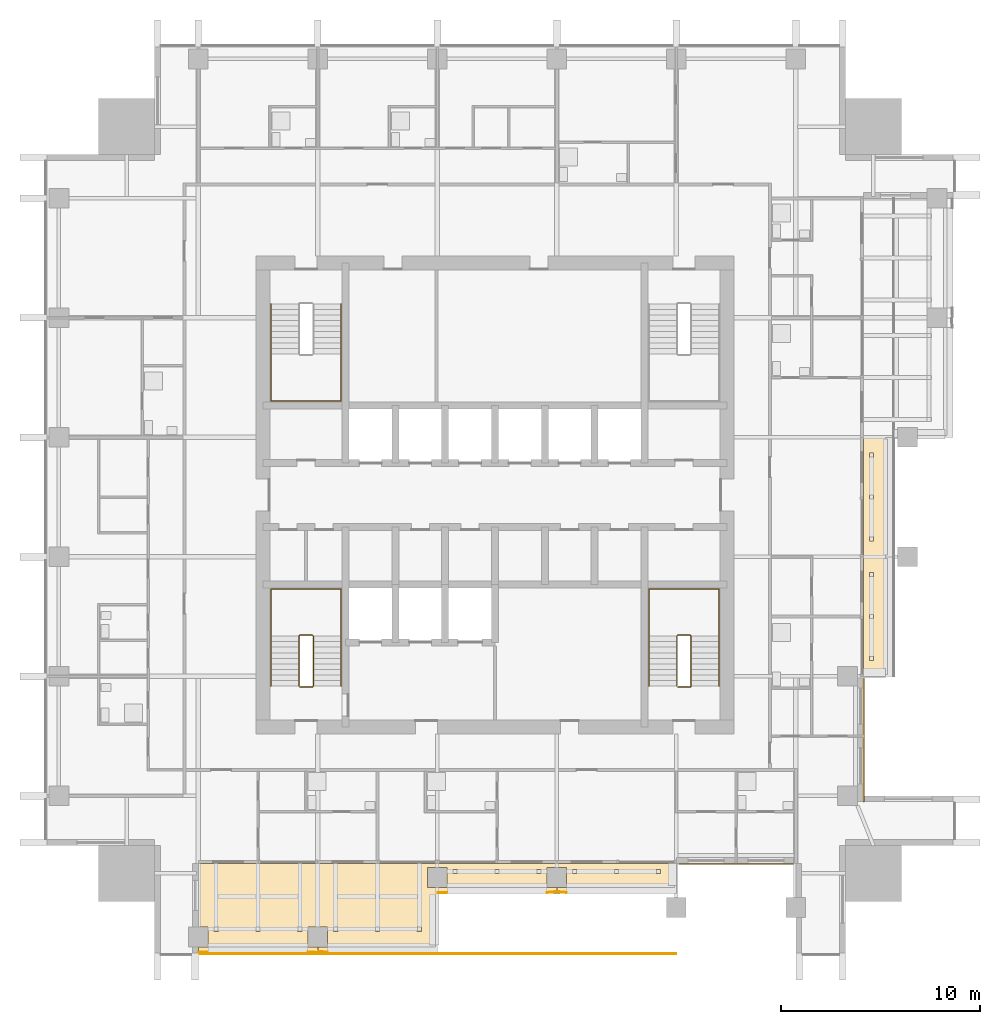
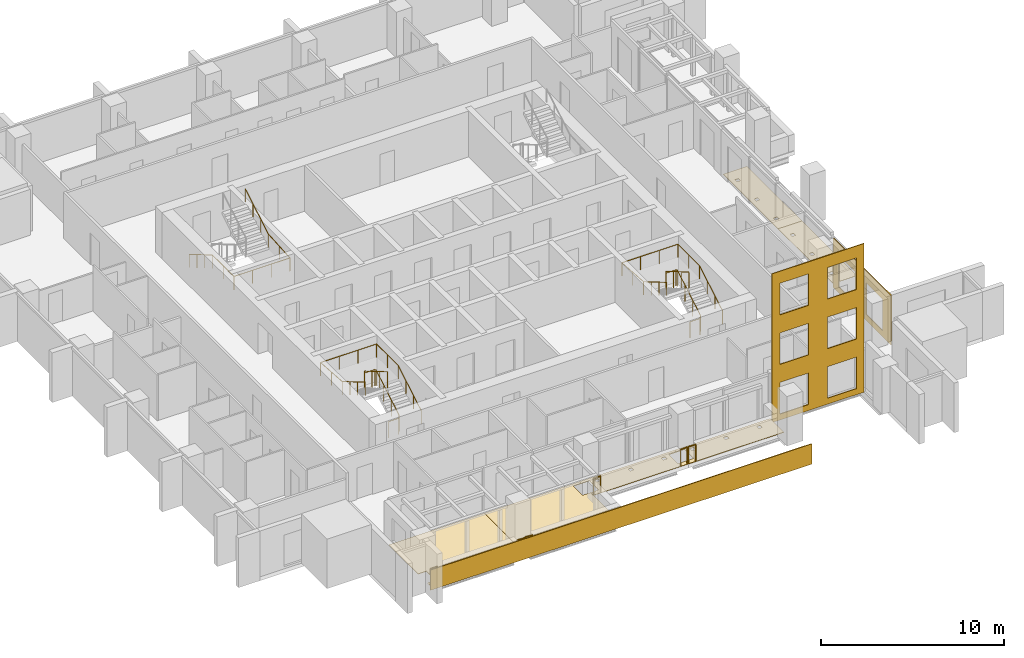
# One storey, part 14 of 16: 11 railings, 9 coverings.
"""IFC4 building model written with IfcOpenShell, lengths in metres."""

from ifc_helpers import new_model, si_unit, direction, frame, origin, origin_2d, place, context, subcontext, project, spatial, polyline, circle, outline, extrude, material, layer, layer_set, type_object, element, save


model = new_model("IFC4")

# Units and contexts
model_context = context("Model", 3, precision=1e-05, world=origin(), true_north=direction((0.0, 1.0)))
body_context = subcontext(model_context, "Body", "Model", "MODEL_VIEW")
ifc_project = project(units=[si_unit("LENGTHUNIT", "METRE"), si_unit("AREAUNIT", "SQUARE_METRE"), si_unit("VOLUMEUNIT", "CUBIC_METRE"), si_unit("PLANEANGLEUNIT", "RADIAN"), si_unit("MASSUNIT", "GRAM", prefix="KILO")], contexts=[model_context])

# Site, building, storey
site_placement = place(None, origin())
site = spatial("IfcSite", under=ifc_project, at=site_placement, CompositionType="ELEMENT")
building_placement = place(site_placement, origin())
building = spatial("IfcBuilding", under=site, at=building_placement, Name="Amberfall Residences", CompositionType="ELEMENT")
storey_placement = place(building_placement, frame((0.0, 0.0, 164.800048828125)))
storey = spatial("IfcBuildingStorey", under=building, at=storey_placement, Name="L44", CompositionType="ELEMENT", Elevation=164.800048828125)

# Coverings
ifc_material_1 = material(Name="Pale limestone cladding", Category="masonry")
ifc_layer_1 = layer(ifc_material_1, 0.050048828125)
ifc_layer_set_1 = layer_set([ifc_layer_1], Name="Limestone fascia 50")
covering_type_1 = type_object("IfcCoveringType", Name="Limestone fascia 50", PredefinedType="CLADDING", material=ifc_layer_set_1)
covering_1_placement = place(storey_placement, frame((0.0, 0.0, -0.25)))
element("IfcCovering", 1, at=covering_1_placement, inside=storey, type_object=covering_type_1, Name="Limestone terrace fascia L44 S1", PredefinedType="CLADDING", context=body_context, shape_type="SweptSolid", body=[
    extrude(outline(polyline([(59.60009765625, 22.5), (83.60009765625, 22.5), (83.60009765625, 22.449951171875), (59.60009765625, 22.449951171875), (59.60009765625, 22.5)])), origin(), (0.0, 0.0, 1.0), 1.349853515625),
])
covering_2_placement = place(storey_placement, frame((83.699951171875, 27.0, 9.64990234375), z_axis=(0.0, 1.0, 0.0), x_axis=(1.0, 0.0, 0.0)))
element("IfcCovering", 2, at=covering_2_placement, inside=storey, type_object=covering_type_1, Name="Pale limestone cladding L44-L46 S", PredefinedType="CLADDING", context=body_context, shape_type="SweptSolid", body=[
    extrude(outline(polyline([(0.0, 0.0), (5.7900390625, 0.0), (5.7900390625, 9.89990234375), (0.0, 9.89990234375), (0.0, 0.0)]), holes=[polyline([(0.5, 7.39990234375), (2.300048828125, 7.39990234375), (2.300048828125, 9.5), (0.5, 9.5), (0.5, 7.39990234375)]), polyline([(3.5, 7.39990234375), (5.300048828125, 7.39990234375), (5.300048828125, 9.5), (3.5, 9.5), (3.5, 7.39990234375)]), polyline([(0.5, 4.099853515625), (2.300048828125, 4.099853515625), (2.300048828125, 6.199951171875), (0.5, 6.199951171875), (0.5, 4.099853515625)]), polyline([(3.5, 4.099853515625), (5.300048828125, 4.099853515625), (5.300048828125, 6.199951171875), (3.5, 6.199951171875), (3.5, 4.099853515625)]), polyline([(0.5, 0.800048828125), (2.300048828125, 0.800048828125), (2.300048828125, 2.89990234375), (0.5, 2.89990234375), (0.5, 0.800048828125)]), polyline([(3.5, 0.800048828125), (5.300048828125, 0.800048828125), (5.300048828125, 2.89990234375), (3.5, 2.89990234375), (3.5, 0.800048828125)])]), origin(), (0.0, 0.0, -1.0), 0.050048828125),
])
covering_3_placement = place(storey_placement, frame((93.0, 30.10009765625, 3.050048828125), z_axis=(-1.0, 0.0, 0.0), x_axis=(0.0, 1.0, 0.0)))
element("IfcCovering", 3, at=covering_3_placement, inside=storey, type_object=covering_type_1, Name="Pale limestone cladding L44 E", PredefinedType="CLADDING", context=body_context, shape_type="SweptSolid", body=[
    extrude(outline(polyline([(0.0, 0.0), (6.2998046875, 0.0), (6.2998046875, 3.300048828125), (0.0, 3.300048828125), (0.0, 0.0)]), holes=[polyline([(0.89990234375, 0.800048828125), (2.699951171875, 0.800048828125), (2.699951171875, 2.900146484375), (0.89990234375, 2.900146484375), (0.89990234375, 0.800048828125)]), polyline([(3.89990234375, 0.800048828125), (5.699951171875, 0.800048828125), (5.699951171875, 2.900146484375), (3.89990234375, 2.900146484375), (3.89990234375, 0.800048828125)])]), origin(), (0.0, 0.0, -1.0), 0.050048828125),
])
ifc_material_2 = material(Name="Pale stone paving", Category="masonry")
ifc_layer_2 = layer(ifc_material_2, 0.030029296875)
ifc_layer_set_2 = layer_set([ifc_layer_2], Name="Pale stone paving 30")
covering_type_2 = type_object("IfcCoveringType", Name="Pale stone paving 30", PredefinedType="FLOORING", material=ifc_layer_set_2)
covering_4_placement = place(storey_placement, origin())
element("IfcCovering", 4, at=covering_4_placement, inside=storey, type_object=covering_type_2, Name="Pale stone paving L44 S1", PredefinedType="FLOORING", context=body_context, shape_type="SweptSolid", body=[
    extrude(outline(polyline([(65.60009765625, 22.5), (65.60009765625, 22.800048828125), (65.10009765625, 22.800048828125), (65.10009765625, 23.800048828125), (65.60009765625, 23.800048828125), (65.60009765625, 27.0), (59.60009765625, 27.0), (59.60009765625, 23.800048828125), (60.10009765625, 23.800048828125), (60.10009765625, 22.800048828125), (59.60009765625, 22.800048828125), (59.60009765625, 22.5), (65.60009765625, 22.5)]), holes=[polyline([(60.389892578125, 23.590087890625), (60.610107421875, 23.590087890625), (60.610107421875, 23.81005859375), (60.389892578125, 23.81005859375), (60.389892578125, 23.590087890625)]), polyline([(62.489990234375, 23.590087890625), (62.7099609375, 23.590087890625), (62.7099609375, 23.81005859375), (62.489990234375, 23.81005859375), (62.489990234375, 23.590087890625)]), polyline([(64.590087890625, 23.590087890625), (64.81005859375, 23.590087890625), (64.81005859375, 23.81005859375), (64.590087890625, 23.81005859375), (64.590087890625, 23.590087890625)])]), origin(), (0.0, 0.0, 1.0), 0.030029296875),
])
covering_5_placement = place(storey_placement, origin())
element("IfcCovering", 5, at=covering_5_placement, inside=storey, type_object=covering_type_2, Name="Pale stone paving L44 S2", PredefinedType="FLOORING", context=body_context, shape_type="SweptSolid", body=[
    extrude(outline(polyline([(71.60009765625, 22.5), (71.60009765625, 25.800048828125), (71.10009765625, 25.800048828125), (71.10009765625, 26.800048828125), (71.60009765625, 26.800048828125), (71.60009765625, 27.0), (65.60009765625, 27.0), (65.60009765625, 23.800048828125), (66.10009765625, 23.800048828125), (66.10009765625, 22.800048828125), (65.60009765625, 22.800048828125), (65.60009765625, 22.5), (71.60009765625, 22.5)]), holes=[polyline([(66.389892578125, 23.590087890625), (66.610107421875, 23.590087890625), (66.610107421875, 23.81005859375), (66.389892578125, 23.81005859375), (66.389892578125, 23.590087890625)]), polyline([(68.489990234375, 23.590087890625), (68.7099609375, 23.590087890625), (68.7099609375, 23.81005859375), (68.489990234375, 23.81005859375), (68.489990234375, 23.590087890625)]), polyline([(70.590087890625, 23.590087890625), (70.81005859375, 23.590087890625), (70.81005859375, 23.81005859375), (70.590087890625, 23.81005859375), (70.590087890625, 23.590087890625)])]), origin(), (0.0, 0.0, 1.0), 0.030029296875),
])
covering_6_placement = place(storey_placement, origin())
element("IfcCovering", 6, at=covering_6_placement, inside=storey, type_object=covering_type_2, Name="Pale stone paving L44 S3", PredefinedType="FLOORING", context=body_context, shape_type="SweptSolid", body=[
    extrude(outline(polyline([(77.60009765625, 27.0), (71.60009765625, 27.0), (71.60009765625, 26.800048828125), (72.10009765625, 26.800048828125), (72.10009765625, 25.800048828125), (71.60009765625, 25.800048828125), (71.60009765625, 25.5), (77.60009765625, 25.5), (77.60009765625, 25.800048828125), (77.10009765625, 25.800048828125), (77.10009765625, 26.800048828125), (77.60009765625, 26.800048828125), (77.60009765625, 27.0)]), holes=[polyline([(72.389892578125, 26.489990234375), (72.610107421875, 26.489990234375), (72.610107421875, 26.7099609375), (72.389892578125, 26.7099609375), (72.389892578125, 26.489990234375)]), polyline([(74.489990234375, 26.489990234375), (74.7099609375, 26.489990234375), (74.7099609375, 26.7099609375), (74.489990234375, 26.7099609375), (74.489990234375, 26.489990234375)]), polyline([(76.590087890625, 26.489990234375), (76.81005859375, 26.489990234375), (76.81005859375, 26.7099609375), (76.590087890625, 26.7099609375), (76.590087890625, 26.489990234375)])]), origin(), (0.0, 0.0, 1.0), 0.030029296875),
])
covering_7_placement = place(storey_placement, origin())
element("IfcCovering", 7, at=covering_7_placement, inside=storey, type_object=covering_type_2, Name="Pale stone paving L44 S4", PredefinedType="FLOORING", context=body_context, shape_type="SweptSolid", body=[
    extrude(outline(polyline([(83.60009765625, 27.0), (77.60009765625, 27.0), (77.60009765625, 26.800048828125), (78.10009765625, 26.800048828125), (78.10009765625, 25.800048828125), (77.60009765625, 25.800048828125), (77.60009765625, 25.5), (83.60009765625, 25.5), (83.60009765625, 27.0)]), holes=[polyline([(78.389892578125, 26.489990234375), (78.610107421875, 26.489990234375), (78.610107421875, 26.7099609375), (78.389892578125, 26.7099609375), (78.389892578125, 26.489990234375)]), polyline([(80.489990234375, 26.489990234375), (80.7099609375, 26.489990234375), (80.7099609375, 26.7099609375), (80.489990234375, 26.7099609375), (80.489990234375, 26.489990234375)]), polyline([(82.590087890625, 26.489990234375), (82.81005859375, 26.489990234375), (82.81005859375, 26.7099609375), (82.590087890625, 26.7099609375), (82.590087890625, 26.489990234375)])]), origin(), (0.0, 0.0, 1.0), 0.030029296875),
])
covering_8_placement = place(storey_placement, origin())
element("IfcCovering", 8, at=covering_8_placement, inside=storey, type_object=covering_type_2, Name="Pale stone paving L44 E2", PredefinedType="FLOORING", context=body_context, shape_type="SweptSolid", body=[
    extrude(outline(polyline([(93.0, 42.39990234375), (93.0, 36.39990234375), (94.5, 36.39990234375), (94.5, 42.39990234375), (93.0, 42.39990234375)]), holes=[polyline([(93.2900390625, 37.18994140625), (93.510009765625, 37.18994140625), (93.510009765625, 37.409912109375), (93.2900390625, 37.409912109375), (93.2900390625, 37.18994140625)]), polyline([(93.2900390625, 39.2900390625), (93.510009765625, 39.2900390625), (93.510009765625, 39.510009765625), (93.2900390625, 39.510009765625), (93.2900390625, 39.2900390625)]), polyline([(93.2900390625, 41.389892578125), (93.510009765625, 41.389892578125), (93.510009765625, 41.610107421875), (93.2900390625, 41.610107421875), (93.2900390625, 41.389892578125)])]), origin(), (0.0, 0.0, 1.0), 0.030029296875),
])
covering_9_placement = place(storey_placement, origin())
element("IfcCovering", 9, at=covering_9_placement, inside=storey, type_object=covering_type_2, Name="Pale stone paving L44 E3", PredefinedType="FLOORING", context=body_context, shape_type="SweptSolid", body=[
    extrude(outline(polyline([(93.0, 48.39990234375), (93.0, 42.39990234375), (94.5, 42.39990234375), (94.5, 48.39990234375), (93.0, 48.39990234375)]), holes=[polyline([(93.2900390625, 43.18994140625), (93.510009765625, 43.18994140625), (93.510009765625, 43.409912109375), (93.2900390625, 43.409912109375), (93.2900390625, 43.18994140625)]), polyline([(93.2900390625, 45.2900390625), (93.510009765625, 45.2900390625), (93.510009765625, 45.510009765625), (93.2900390625, 45.510009765625), (93.2900390625, 45.2900390625)]), polyline([(93.2900390625, 47.389892578125), (93.510009765625, 47.389892578125), (93.510009765625, 47.610107421875), (93.2900390625, 47.610107421875), (93.2900390625, 47.389892578125)])]), origin(), (0.0, 0.0, 1.0), 0.030029296875),
])

# Railings
ifc_material_3 = material(Name="Stainless steel 316", Category="steel")
railing_type_1 = type_object("IfcRailingType", Name="Stair guard 1100", PredefinedType="GUARDRAIL", material=ifc_material_3)
railing_1_placement = place(storey_placement, frame((64.699951171875, 35.85009765625, 0.0)))
element("IfcRailing", 10, at=railing_1_placement, inside=storey, type_object=railing_type_1, Name="L44 stair 1 guard", PredefinedType="GUARDRAIL", context=body_context, shape_type="SweptSolid", body=[
    extrude(circle(Radius=0.02392578125, at=origin_2d()), frame((0.0, 0.0, 1.076171875), z_axis=(1.0, 0.0, 0.0), x_axis=(0.0, 1.0, 0.0)), (0.0, 0.0, 1.0), 0.625),
    extrude(circle(Radius=0.02392578125, at=origin_2d()), frame((0.625, 0.0, 1.076171875), z_axis=(0.278810427259, 0.277450376394, 0.919394384522), x_axis=(-0.705375805398, 0.708833529934, 0.0)), (0.0, 0.0, 1.0), 0.179443359375),
    extrude(circle(Radius=0.02392578125, at=origin_2d()), frame((0.675048828125, 0.0498046875, 1.2412109375), z_axis=(0.0, 0.861560626758, 0.507654692109), x_axis=(-1.0, 0.0, 0.0)), (0.0, 0.0, 1.0), 2.925048828125),
    extrude(circle(Radius=0.02392578125, at=origin_2d()), frame((0.675048828125, 2.56982421875, 2.72607421875), z_axis=(-0.707106781187, 0.707106781187, 0.0), x_axis=(-0.707106781187, -0.707106781187, 0.0)), (0.0, 0.0, 1.0), 0.07080078125),
    extrude(circle(Radius=0.02392578125, at=origin_2d()), frame((0.625, 2.619873046875, 2.72607421875), z_axis=(-1.0, 0.0, 0.0), x_axis=(0.0, -1.0, 0.0)), (0.0, 0.0, 1.0), 0.625),
    extrude(circle(Radius=0.02392578125, at=origin_2d()), frame((0.0, 2.619873046875, 2.72607421875), z_axis=(-0.278705021027, -0.278705021027, 0.919046801044), x_axis=(0.707106781187, -0.707106781187, 0.0)), (0.0, 0.0, 1.0), 0.1796875),
    extrude(circle(Radius=0.02392578125, at=origin_2d()), frame((-0.050048828125, 2.56982421875, 2.89111328125), z_axis=(0.0, -0.86152411907, 0.507716645641), x_axis=(1.0, 0.0, 0.0)), (0.0, 0.0, 1.0), 2.925048828125),
    extrude(circle(Radius=0.02099609375, at=origin_2d()), origin(), (0.0, 0.0, 1.0), 1.052001953125),
    extrude(circle(Radius=0.02099609375, at=origin_2d()), frame((0.625, 0.0, 0.0)), (0.0, 0.0, 1.0), 1.052001953125),
    extrude(circle(Radius=0.02099609375, at=origin_2d()), frame((0.675048828125, 0.0498046875, 0.1650390625)), (0.0, 0.0, 1.0), 1.052001953125),
    extrude(circle(Radius=0.02099609375, at=origin_2d()), frame((0.675048828125, 0.889892578125, 0.659912109375)), (0.0, 0.0, 1.0), 1.052001953125),
    extrude(circle(Radius=0.02099609375, at=origin_2d()), frame((0.675048828125, 1.729736328125, 1.155029296875)), (0.0, 0.0, 1.0), 1.052001953125),
    extrude(circle(Radius=0.02099609375, at=origin_2d()), frame((0.675048828125, 2.56982421875, 1.64990234375)), (0.0, 0.0, 1.0), 1.052001953125),
    extrude(circle(Radius=0.02099609375, at=origin_2d()), frame((0.625, 2.619873046875, 1.64990234375)), (0.0, 0.0, 1.0), 1.052001953125),
    extrude(circle(Radius=0.02099609375, at=origin_2d()), frame((0.0, 2.619873046875, 1.64990234375)), (0.0, 0.0, 1.0), 1.052001953125),
    extrude(circle(Radius=0.02099609375, at=origin_2d()), frame((-0.050048828125, 2.56982421875, 1.81494140625)), (0.0, 0.0, 1.0), 1.052001953125),
    extrude(circle(Radius=0.02099609375, at=origin_2d()), frame((-0.050048828125, 1.729736328125, 2.31005859375)), (0.0, 0.0, 1.0), 1.052001953125),
    extrude(circle(Radius=0.02099609375, at=origin_2d()), frame((-0.050048828125, 0.889892578125, 2.804931640625)), (0.0, 0.0, 1.0), 1.052001953125),
    extrude(circle(Radius=0.02099609375, at=origin_2d()), frame((-0.050048828125, 0.0498046875, 3.300048828125)), (0.0, 0.0, 1.0), 1.052001953125),
])
railing_2_placement = place(storey_placement, frame((83.675048828125, 35.85009765625, 0.0)))
element("IfcRailing", 11, at=railing_2_placement, inside=storey, type_object=railing_type_1, Name="L44 stair 2 guard", PredefinedType="GUARDRAIL", context=body_context, shape_type="SweptSolid", body=[
    extrude(circle(Radius=0.02392578125, at=origin_2d()), frame((0.0, 0.0, 1.076171875), z_axis=(1.0, 0.0, 0.0), x_axis=(0.0, 1.0, 0.0)), (0.0, 0.0, 1.0), 0.625),
    extrude(circle(Radius=0.02392578125, at=origin_2d()), frame((0.625, 0.0, 1.076171875), z_axis=(0.278810427259, 0.277450376394, 0.919394384522), x_axis=(-0.705375805398, 0.708833529934, 0.0)), (0.0, 0.0, 1.0), 0.179443359375),
    extrude(circle(Radius=0.02392578125, at=origin_2d()), frame((0.675048828125, 0.0498046875, 1.2412109375), z_axis=(0.0, 0.861560626758, 0.507654692109), x_axis=(-1.0, 0.0, 0.0)), (0.0, 0.0, 1.0), 2.925048828125),
    extrude(circle(Radius=0.02392578125, at=origin_2d()), frame((0.675048828125, 2.56982421875, 2.72607421875), z_axis=(-0.707106781187, 0.707106781187, 0.0), x_axis=(-0.707106781187, -0.707106781187, 0.0)), (0.0, 0.0, 1.0), 0.07080078125),
    extrude(circle(Radius=0.02392578125, at=origin_2d()), frame((0.625, 2.619873046875, 2.72607421875), z_axis=(-1.0, 0.0, 0.0), x_axis=(0.0, -1.0, 0.0)), (0.0, 0.0, 1.0), 0.625),
    extrude(circle(Radius=0.02392578125, at=origin_2d()), frame((0.0, 2.619873046875, 2.72607421875), z_axis=(-0.278705021027, -0.278705021027, 0.919046801044), x_axis=(0.707106781187, -0.707106781187, 0.0)), (0.0, 0.0, 1.0), 0.1796875),
    extrude(circle(Radius=0.02392578125, at=origin_2d()), frame((-0.050048828125, 2.56982421875, 2.89111328125), z_axis=(0.0, -0.86152411907, 0.507716645641), x_axis=(1.0, 0.0, 0.0)), (0.0, 0.0, 1.0), 2.925048828125),
    extrude(circle(Radius=0.02099609375, at=origin_2d()), origin(), (0.0, 0.0, 1.0), 1.052001953125),
    extrude(circle(Radius=0.02099609375, at=origin_2d()), frame((0.625, 0.0, 0.0)), (0.0, 0.0, 1.0), 1.052001953125),
    extrude(circle(Radius=0.02099609375, at=origin_2d()), frame((0.675048828125, 0.0498046875, 0.1650390625)), (0.0, 0.0, 1.0), 1.052001953125),
    extrude(circle(Radius=0.02099609375, at=origin_2d()), frame((0.675048828125, 0.889892578125, 0.659912109375)), (0.0, 0.0, 1.0), 1.052001953125),
    extrude(circle(Radius=0.02099609375, at=origin_2d()), frame((0.675048828125, 1.729736328125, 1.155029296875)), (0.0, 0.0, 1.0), 1.052001953125),
    extrude(circle(Radius=0.02099609375, at=origin_2d()), frame((0.675048828125, 2.56982421875, 1.64990234375)), (0.0, 0.0, 1.0), 1.052001953125),
    extrude(circle(Radius=0.02099609375, at=origin_2d()), frame((0.625, 2.619873046875, 1.64990234375)), (0.0, 0.0, 1.0), 1.052001953125),
    extrude(circle(Radius=0.02099609375, at=origin_2d()), frame((0.0, 2.619873046875, 1.64990234375)), (0.0, 0.0, 1.0), 1.052001953125),
    extrude(circle(Radius=0.02099609375, at=origin_2d()), frame((-0.050048828125, 2.56982421875, 1.81494140625)), (0.0, 0.0, 1.0), 1.052001953125),
    extrude(circle(Radius=0.02099609375, at=origin_2d()), frame((-0.050048828125, 1.729736328125, 2.31005859375)), (0.0, 0.0, 1.0), 1.052001953125),
    extrude(circle(Radius=0.02099609375, at=origin_2d()), frame((-0.050048828125, 0.889892578125, 2.804931640625)), (0.0, 0.0, 1.0), 1.052001953125),
    extrude(circle(Radius=0.02099609375, at=origin_2d()), frame((-0.050048828125, 0.0498046875, 3.300048828125)), (0.0, 0.0, 1.0), 1.052001953125),
])
railing_type_2 = type_object("IfcRailingType", Name="Stair handrail 900", PredefinedType="HANDRAIL", material=ifc_material_3)
railing_3_placement = place(storey_placement, frame((66.77490234375, 35.89990234375, 0.1650390625)))
element("IfcRailing", 12, at=railing_3_placement, inside=storey, type_object=railing_type_2, Name="L44 stair 1 handrail", PredefinedType="HANDRAIL", context=body_context, shape_type="SweptSolid", body=[
    extrude(circle(Radius=0.02392578125, at=origin_2d()), frame((0.0, 0.0, 0.8759765625), z_axis=(0.0, 0.861560626758, 0.507654692109), x_axis=(-1.0, 0.0, 0.0)), (0.0, 0.0, 1.0), 2.925048828125),
    extrude(circle(Radius=0.02392578125, at=origin_2d()), frame((0.0, 2.52001953125, 2.36083984375), z_axis=(0.0, 1.0, 0.0), x_axis=(-1.0, 0.0, 0.0)), (0.0, 0.0, 1.0), 2.35498046875),
    extrude(circle(Radius=0.02392578125, at=origin_2d()), frame((0.0, 4.875, 2.36083984375), z_axis=(-1.0, 0.0, 0.0), x_axis=(0.0, -1.0, 0.0)), (0.0, 0.0, 1.0), 3.52490234375),
    extrude(circle(Radius=0.02392578125, at=origin_2d()), frame((-3.52490234375, 4.875, 2.36083984375), z_axis=(0.0, -0.997553344917, 0.069909398835), x_axis=(1.0, 0.0, 0.0)), (0.0, 0.0, 1.0), 2.36083984375),
    extrude(circle(Radius=0.02392578125, at=origin_2d()), frame((-3.52490234375, 2.52001953125, 2.52587890625), z_axis=(0.0, -0.86152411907, 0.507716645641), x_axis=(1.0, 0.0, 0.0)), (0.0, 0.0, 1.0), 2.925048828125),
    extrude(circle(Radius=0.02099609375, at=origin_2d()), origin(), (0.0, 0.0, 1.0), 0.851806640625),
    extrude(circle(Radius=0.02099609375, at=origin_2d()), frame((0.0, 0.840087890625, 0.494873046875)), (0.0, 0.0, 1.0), 0.851806640625),
    extrude(circle(Radius=0.02099609375, at=origin_2d()), frame((0.0, 1.679931640625, 0.989990234375)), (0.0, 0.0, 1.0), 0.851806640625),
    extrude(circle(Radius=0.02099609375, at=origin_2d()), frame((0.0, 2.52001953125, 1.48486328125)), (0.0, 0.0, 1.0), 0.851806640625),
    extrude(circle(Radius=0.02099609375, at=origin_2d()), frame((0.0, 3.697509765625, 1.48486328125)), (0.0, 0.0, 1.0), 0.851806640625),
    extrude(circle(Radius=0.02099609375, at=origin_2d()), frame((0.0, 4.875, 1.48486328125)), (0.0, 0.0, 1.0), 0.851806640625),
    extrude(circle(Radius=0.02099609375, at=origin_2d()), frame((-1.175048828125, 4.875, 1.48486328125)), (0.0, 0.0, 1.0), 0.851806640625),
    extrude(circle(Radius=0.02099609375, at=origin_2d()), frame((-2.349853515625, 4.875, 1.48486328125)), (0.0, 0.0, 1.0), 0.851806640625),
    extrude(circle(Radius=0.02099609375, at=origin_2d()), frame((-3.52490234375, 4.875, 1.48486328125)), (0.0, 0.0, 1.0), 0.851806640625),
    extrude(circle(Radius=0.02099609375, at=origin_2d()), frame((-3.52490234375, 3.697509765625, 1.5673828125)), (0.0, 0.0, 1.0), 0.851806640625),
    extrude(circle(Radius=0.02099609375, at=origin_2d()), frame((-3.52490234375, 2.52001953125, 1.64990234375)), (0.0, 0.0, 1.0), 0.851806640625),
    extrude(circle(Radius=0.02099609375, at=origin_2d()), frame((-3.52490234375, 1.679931640625, 2.14501953125)), (0.0, 0.0, 1.0), 0.851806640625),
    extrude(circle(Radius=0.02099609375, at=origin_2d()), frame((-3.52490234375, 0.840087890625, 2.639892578125)), (0.0, 0.0, 1.0), 0.851806640625),
    extrude(circle(Radius=0.02099609375, at=origin_2d()), frame((-3.52490234375, 0.0, 3.135009765625)), (0.0, 0.0, 1.0), 0.851806640625),
])
railing_4_placement = place(storey_placement, frame((85.75, 35.89990234375, 0.1650390625)))
element("IfcRailing", 13, at=railing_4_placement, inside=storey, type_object=railing_type_2, Name="L44 stair 2 handrail", PredefinedType="HANDRAIL", context=body_context, shape_type="SweptSolid", body=[
    extrude(circle(Radius=0.02392578125, at=origin_2d()), frame((0.0, 0.0, 0.8759765625), z_axis=(0.0, 0.861560626758, 0.507654692109), x_axis=(-1.0, 0.0, 0.0)), (0.0, 0.0, 1.0), 2.925048828125),
    extrude(circle(Radius=0.02392578125, at=origin_2d()), frame((0.0, 2.52001953125, 2.36083984375), z_axis=(0.0, 1.0, 0.0), x_axis=(-1.0, 0.0, 0.0)), (0.0, 0.0, 1.0), 2.35498046875),
    extrude(circle(Radius=0.02392578125, at=origin_2d()), frame((0.0, 4.875, 2.36083984375), z_axis=(-1.0, 0.0, 0.0), x_axis=(0.0, -1.0, 0.0)), (0.0, 0.0, 1.0), 3.52490234375),
    extrude(circle(Radius=0.02392578125, at=origin_2d()), frame((-3.52490234375, 4.875, 2.36083984375), z_axis=(0.0, -0.997553344917, 0.069909398835), x_axis=(1.0, 0.0, 0.0)), (0.0, 0.0, 1.0), 2.36083984375),
    extrude(circle(Radius=0.02392578125, at=origin_2d()), frame((-3.52490234375, 2.52001953125, 2.52587890625), z_axis=(0.0, -0.86152411907, 0.507716645641), x_axis=(1.0, 0.0, 0.0)), (0.0, 0.0, 1.0), 2.925048828125),
    extrude(circle(Radius=0.02099609375, at=origin_2d()), origin(), (0.0, 0.0, 1.0), 0.851806640625),
    extrude(circle(Radius=0.02099609375, at=origin_2d()), frame((0.0, 0.840087890625, 0.494873046875)), (0.0, 0.0, 1.0), 0.851806640625),
    extrude(circle(Radius=0.02099609375, at=origin_2d()), frame((0.0, 1.679931640625, 0.989990234375)), (0.0, 0.0, 1.0), 0.851806640625),
    extrude(circle(Radius=0.02099609375, at=origin_2d()), frame((0.0, 2.52001953125, 1.48486328125)), (0.0, 0.0, 1.0), 0.851806640625),
    extrude(circle(Radius=0.02099609375, at=origin_2d()), frame((0.0, 3.697509765625, 1.48486328125)), (0.0, 0.0, 1.0), 0.851806640625),
    extrude(circle(Radius=0.02099609375, at=origin_2d()), frame((0.0, 4.875, 1.48486328125)), (0.0, 0.0, 1.0), 0.851806640625),
    extrude(circle(Radius=0.02099609375, at=origin_2d()), frame((-1.175048828125, 4.875, 1.48486328125)), (0.0, 0.0, 1.0), 0.851806640625),
    extrude(circle(Radius=0.02099609375, at=origin_2d()), frame((-2.349853515625, 4.875, 1.48486328125)), (0.0, 0.0, 1.0), 0.851806640625),
    extrude(circle(Radius=0.02099609375, at=origin_2d()), frame((-3.52490234375, 4.875, 1.48486328125)), (0.0, 0.0, 1.0), 0.851806640625),
    extrude(circle(Radius=0.02099609375, at=origin_2d()), frame((-3.52490234375, 3.697509765625, 1.5673828125)), (0.0, 0.0, 1.0), 0.851806640625),
    extrude(circle(Radius=0.02099609375, at=origin_2d()), frame((-3.52490234375, 2.52001953125, 1.64990234375)), (0.0, 0.0, 1.0), 0.851806640625),
    extrude(circle(Radius=0.02099609375, at=origin_2d()), frame((-3.52490234375, 1.679931640625, 2.14501953125)), (0.0, 0.0, 1.0), 0.851806640625),
    extrude(circle(Radius=0.02099609375, at=origin_2d()), frame((-3.52490234375, 0.840087890625, 2.639892578125)), (0.0, 0.0, 1.0), 0.851806640625),
    extrude(circle(Radius=0.02099609375, at=origin_2d()), frame((-3.52490234375, 0.0, 3.135009765625)), (0.0, 0.0, 1.0), 0.851806640625),
])
railing_5_placement = place(storey_placement, frame((63.25, 55.10009765625, 0.1650390625)))
element("IfcRailing", 14, at=railing_5_placement, inside=storey, type_object=railing_type_2, Name="L44 stair 4 handrail", PredefinedType="HANDRAIL", context=body_context, shape_type="SweptSolid", body=[
    extrude(circle(Radius=0.02392578125, at=origin_2d()), frame((0.0, 0.0, 0.8759765625), z_axis=(0.0, -0.861560626758, 0.507654692109), x_axis=(1.0, 0.0, 0.0)), (0.0, 0.0, 1.0), 2.925048828125),
    extrude(circle(Radius=0.02392578125, at=origin_2d()), frame((0.0, -2.52001953125, 2.36083984375), z_axis=(0.0, -1.0, 0.0), x_axis=(1.0, 0.0, 0.0)), (0.0, 0.0, 1.0), 2.35498046875),
    extrude(circle(Radius=0.02392578125, at=origin_2d()), frame((0.0, -4.875, 2.36083984375), z_axis=(1.0, 0.0, 0.0), x_axis=(0.0, 1.0, 0.0)), (0.0, 0.0, 1.0), 3.52490234375),
    extrude(circle(Radius=0.02392578125, at=origin_2d()), frame((3.52490234375, -4.875, 2.36083984375), z_axis=(0.0, 0.997553344917, 0.069909398835), x_axis=(-1.0, 0.0, 0.0)), (0.0, 0.0, 1.0), 2.36083984375),
    extrude(circle(Radius=0.02392578125, at=origin_2d()), frame((3.52490234375, -2.52001953125, 2.52587890625), z_axis=(0.0, 0.86152411907, 0.507716645641), x_axis=(-1.0, 0.0, 0.0)), (0.0, 0.0, 1.0), 2.925048828125),
    extrude(circle(Radius=0.02099609375, at=origin_2d()), origin(), (0.0, 0.0, 1.0), 0.851806640625),
    extrude(circle(Radius=0.02099609375, at=origin_2d()), frame((0.0, -0.840087890625, 0.494873046875)), (0.0, 0.0, 1.0), 0.851806640625),
    extrude(circle(Radius=0.02099609375, at=origin_2d()), frame((0.0, -1.679931640625, 0.989990234375)), (0.0, 0.0, 1.0), 0.851806640625),
    extrude(circle(Radius=0.02099609375, at=origin_2d()), frame((0.0, -2.52001953125, 1.48486328125)), (0.0, 0.0, 1.0), 0.851806640625),
    extrude(circle(Radius=0.02099609375, at=origin_2d()), frame((0.0, -3.697509765625, 1.48486328125)), (0.0, 0.0, 1.0), 0.851806640625),
    extrude(circle(Radius=0.02099609375, at=origin_2d()), frame((0.0, -4.875, 1.48486328125)), (0.0, 0.0, 1.0), 0.851806640625),
    extrude(circle(Radius=0.02099609375, at=origin_2d()), frame((1.175048828125, -4.875, 1.48486328125)), (0.0, 0.0, 1.0), 0.851806640625),
    extrude(circle(Radius=0.02099609375, at=origin_2d()), frame((2.349853515625, -4.875, 1.48486328125)), (0.0, 0.0, 1.0), 0.851806640625),
    extrude(circle(Radius=0.02099609375, at=origin_2d()), frame((3.52490234375, -4.875, 1.48486328125)), (0.0, 0.0, 1.0), 0.851806640625),
    extrude(circle(Radius=0.02099609375, at=origin_2d()), frame((3.52490234375, -3.697509765625, 1.5673828125)), (0.0, 0.0, 1.0), 0.851806640625),
    extrude(circle(Radius=0.02099609375, at=origin_2d()), frame((3.52490234375, -2.52001953125, 1.64990234375)), (0.0, 0.0, 1.0), 0.851806640625),
    extrude(circle(Radius=0.02099609375, at=origin_2d()), frame((3.52490234375, -1.679931640625, 2.14501953125)), (0.0, 0.0, 1.0), 0.851806640625),
    extrude(circle(Radius=0.02099609375, at=origin_2d()), frame((3.52490234375, -0.840087890625, 2.639892578125)), (0.0, 0.0, 1.0), 0.851806640625),
    extrude(circle(Radius=0.02099609375, at=origin_2d()), frame((3.52490234375, 0.0, 3.135009765625)), (0.0, 0.0, 1.0), 0.851806640625),
])
ifc_material_4 = material(Name="Bronze anodised aluminium and laminated glass", Category="aluminium")
railing_type_3 = type_object("IfcRailingType", Name="Terrace edge guard 1100", PredefinedType="GUARDRAIL", material=ifc_material_4)
railing_6_placement = place(storey_placement, frame((59.630615234375, 22.531494140625, 0.030029296875)))
element("IfcRailing", 15, at=railing_6_placement, inside=storey, type_object=railing_type_3, Name="Terrace guard L44 S1", PredefinedType="GUARDRAIL", context=body_context, shape_type="SweptSolid", body=[
    extrude(circle(Radius=0.02392578125, at=origin_2d()), frame((0.0, 0.0, 1.076171875), z_axis=(0.999808251462, 0.019582142586, 0.0), x_axis=(-0.019582142586, 0.999808251462, 0.0)), (0.0, 0.0, 1.0), 0.436279296875),
    extrude(circle(Radius=0.02099609375, at=origin_2d()), origin(), (0.0, 0.0, 1.0), 1.052001953125),
    extrude(circle(Radius=0.02099609375, at=origin_2d()), frame((0.436279296875, 0.008544921875, 0.0)), (0.0, 0.0, 1.0), 1.052001953125),
])
railing_7_placement = place(storey_placement, frame((65.118896484375, 22.5400390625, 0.030029296875)))
element("IfcRailing", 16, at=railing_7_placement, inside=storey, type_object=railing_type_3, Name="Terrace guard L44 S1", PredefinedType="GUARDRAIL", context=body_context, shape_type="SweptSolid", body=[
    extrude(circle(Radius=0.02392578125, at=origin_2d()), frame((0.0, 0.0, 1.076171875), z_axis=(0.999742691717, -0.022683702468, 0.0), x_axis=(0.022683702468, 0.999742691717, 0.0)), (0.0, 0.0, 1.0), 0.441162109375),
    extrude(circle(Radius=0.02099609375, at=origin_2d()), origin(), (0.0, 0.0, 1.0), 1.052001953125),
    extrude(circle(Radius=0.02099609375, at=origin_2d()), frame((0.441162109375, -0.010009765625, 0.0)), (0.0, 0.0, 1.0), 1.052001953125),
])
railing_8_placement = place(storey_placement, frame((65.639892578125, 22.580078125, 0.030029296875)))
element("IfcRailing", 17, at=railing_8_placement, inside=storey, type_object=railing_type_3, Name="Terrace guard L44 S2", PredefinedType="GUARDRAIL", context=body_context, shape_type="SweptSolid", body=[
    extrude(circle(Radius=0.02392578125, at=origin_2d()), frame((0.0, 0.0, 1.076171875), z_axis=(0.995888677756, -0.09058554806, 0.0), x_axis=(0.09058554806, 0.995888677756, 0.0)), (0.0, 0.0, 1.0), 0.44189453125),
    extrude(circle(Radius=0.02099609375, at=origin_2d()), origin(), (0.0, 0.0, 1.0), 1.052001953125),
    extrude(circle(Radius=0.02099609375, at=origin_2d()), frame((0.440185546875, -0.0400390625, 0.0)), (0.0, 0.0, 1.0), 1.052001953125),
])
railing_9_placement = place(storey_placement, frame((77.56005859375, 25.580078125, 0.030029296875)))
element("IfcRailing", 18, at=railing_9_placement, inside=storey, type_object=railing_type_3, Name="Terrace guard L44 S3", PredefinedType="GUARDRAIL", context=body_context, shape_type="SweptSolid", body=[
    extrude(circle(Radius=0.02392578125, at=origin_2d()), frame((0.0, 0.0, 1.076171875), z_axis=(-0.995884141565, -0.090635404671, 0.0), x_axis=(0.090635404671, -0.995884141565, 0.0)), (0.0, 0.0, 1.0), 0.441650390625),
    extrude(circle(Radius=0.02099609375, at=origin_2d()), origin(), (0.0, 0.0, 1.0), 1.052001953125),
    extrude(circle(Radius=0.02099609375, at=origin_2d()), frame((-0.43994140625, -0.0400390625, 0.0)), (0.0, 0.0, 1.0), 1.052001953125),
])
railing_10_placement = place(storey_placement, frame((72.080078125, 25.5400390625, 0.030029296875)))
element("IfcRailing", 19, at=railing_10_placement, inside=storey, type_object=railing_type_3, Name="Terrace guard L44 S3", PredefinedType="GUARDRAIL", context=body_context, shape_type="SweptSolid", body=[
    extrude(circle(Radius=0.02392578125, at=origin_2d()), frame((0.0, 0.0, 1.076171875), z_axis=(-0.999974490772, -0.007142674934, 0.0), x_axis=(0.007142674934, -0.999974490772, 0.0)), (0.0, 0.0, 1.0), 0.4443359375),
    extrude(circle(Radius=0.02099609375, at=origin_2d()), origin(), (0.0, 0.0, 1.0), 1.052001953125),
    extrude(circle(Radius=0.02099609375, at=origin_2d()), frame((-0.4443359375, -0.003173828125, 0.0)), (0.0, 0.0, 1.0), 1.052001953125),
])
railing_11_placement = place(storey_placement, frame((78.080078125, 25.5400390625, 0.030029296875)))
element("IfcRailing", 20, at=railing_11_placement, inside=storey, type_object=railing_type_3, Name="Terrace guard L44 S4", PredefinedType="GUARDRAIL", context=body_context, shape_type="SweptSolid", body=[
    extrude(circle(Radius=0.02392578125, at=origin_2d()), frame((0.0, 0.0, 1.076171875), z_axis=(-0.995888677756, 0.09058554806, 0.0), x_axis=(-0.09058554806, -0.995888677756, 0.0)), (0.0, 0.0, 1.0), 0.44189453125),
    extrude(circle(Radius=0.02099609375, at=origin_2d()), origin(), (0.0, 0.0, 1.0), 1.052001953125),
    extrude(circle(Radius=0.02099609375, at=origin_2d()), frame((-0.440185546875, 0.0400390625, 0.0)), (0.0, 0.0, 1.0), 1.052001953125),
])

save(model, "model.ifc")
